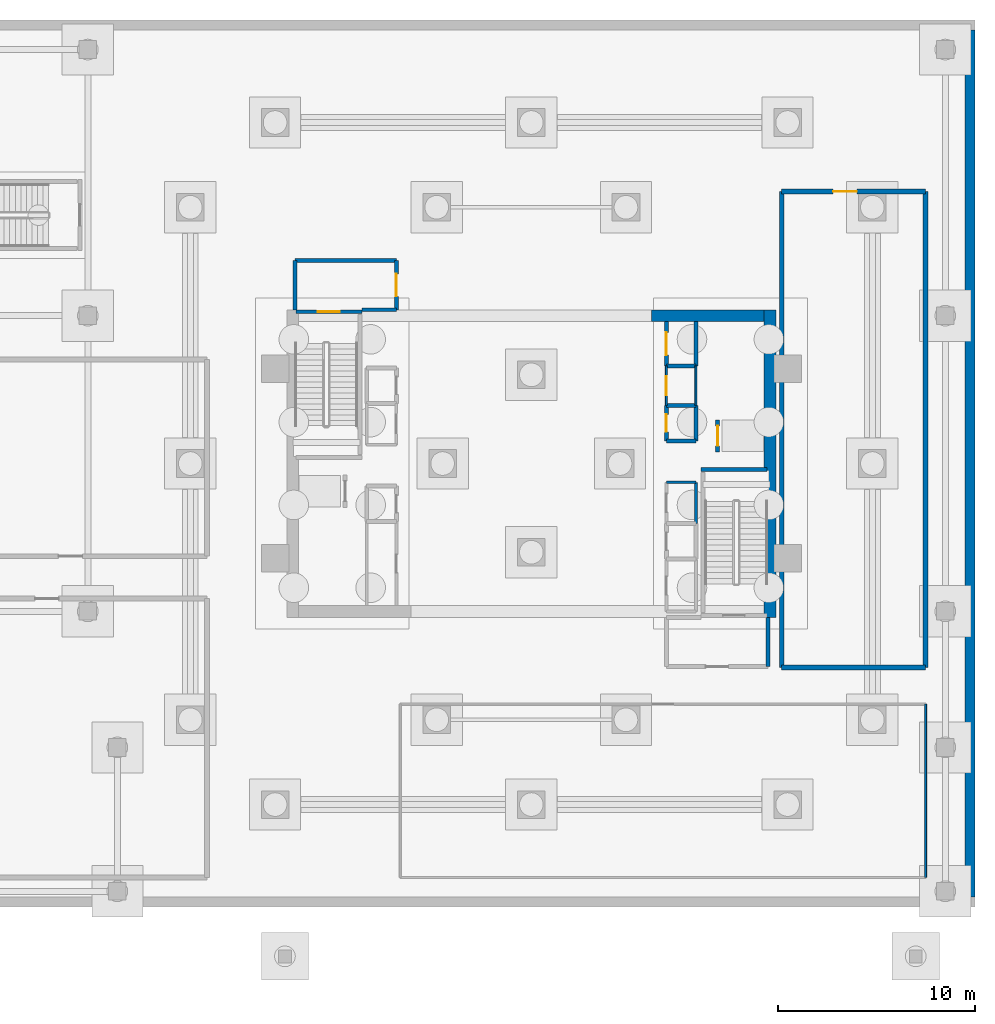
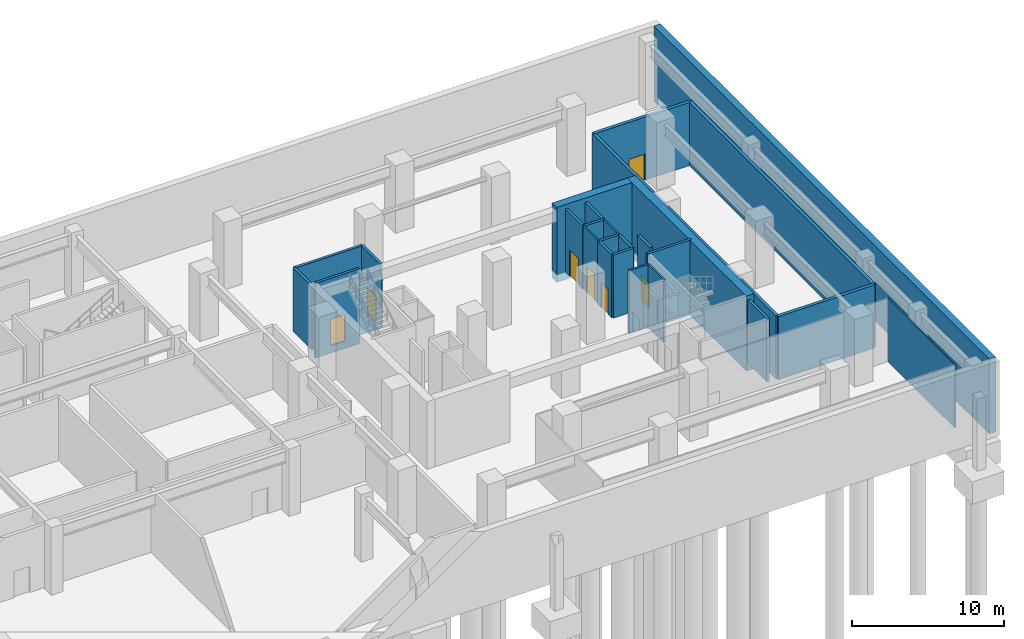
# One storey, part 10 of 14: 27 walls, 7 doors, 7 openings.
"""IFC4 building model written with IfcOpenShell, lengths in metres."""

from ifc_helpers import new_model, si_unit, direction, frame, frame_2d, origin, place, context, subcontext, project, spatial, rectangle, extrude, material, layer, layer_set, type_object, element, fill, save


model = new_model("IFC4")

# Units and contexts
model_context = context("Model", 3, precision=1e-05, world=origin(), true_north=direction((0.0, 1.0)))
body_context = subcontext(model_context, "Body", "Model", "MODEL_VIEW")
ifc_project = project(units=[si_unit("LENGTHUNIT", "METRE"), si_unit("AREAUNIT", "SQUARE_METRE"), si_unit("VOLUMEUNIT", "CUBIC_METRE"), si_unit("PLANEANGLEUNIT", "RADIAN"), si_unit("MASSUNIT", "GRAM", prefix="KILO")], contexts=[model_context])

# Site, building, storey
site_placement = place(None, origin())
site = spatial("IfcSite", under=ifc_project, at=site_placement, CompositionType="ELEMENT")
building_placement = place(site_placement, origin())
building = spatial("IfcBuilding", under=site, at=building_placement, Name="Thornwick Lancets Civic Towers", CompositionType="ELEMENT")
storey_placement = place(building_placement, frame((0.0, 0.0, -5.39990234375)))
storey = spatial("IfcBuildingStorey", under=building, at=storey_placement, Name="B01", CompositionType="ELEMENT", Elevation=-5.39990234375)

# Wall, opening, door
ifc_material_1 = material(Name="Concrete blockwork C40/50", Category="masonry")
ifc_layer_1 = layer(ifc_material_1, 0.199951171875, Name="Concrete blockwork C40/50")
ifc_layer_set_1 = layer_set([ifc_layer_1], Name="Concrete blockwork C40/50")
wall_type_1 = type_object("IfcWallType", Name="WALL_COMP_200", PredefinedType="STANDARD", material=ifc_layer_set_1)
wall_1_placement = place(storey_placement, frame((97.949951171875, 29.219970703125, 0.0), z_axis=(0.0, 0.0, 1.0), x_axis=(0.0, -1.0, 0.0)))
wall_1 = element("IfcWall", 1, at=wall_1_placement, inside=storey, type_object=wall_type_1, Name="B01 Hoistway Front Wall FL-B1", PredefinedType="STANDARD", context=body_context, shape_type="SweptSolid", body=[
    extrude(rectangle(XDim=1.639892578125, YDim=0.199951171875, at=frame_2d((0.81982421875, 0.0))), origin(), (0.0, 0.0, 1.0), 5.059814453125),
])
opening_1_placement = place(wall_1_placement, frame((0.31005859375, 0.0, 0.0)))
opening_1 = element("IfcOpeningElement", 2, at=opening_1_placement, cuts=wall_1, Name="Opening LD-FL-B1", PredefinedType="OPENING", context=body_context, shape_type="SweptSolid", body=[
    extrude(rectangle(XDim=1.02001953125, YDim=2.06005859375, at=frame_2d((0.510009765625, 1.030029296875))), frame((0.0, 0.10986328125, 0.0), z_axis=(0.0, -1.0, 0.0), x_axis=(1.0, 0.0, 0.0)), (0.0, 0.0, 1.0), 0.219970703125),
])
ifc_material_2 = material(Name="Brushed bronze stainless steel", Category="steel")
door_type_1 = type_object("IfcDoorType", Name="DOOR_LIFT_SLIDE", OperationType="SLIDING_TO_LEFT", PredefinedType="DOOR", material=ifc_material_2)
door_1_placement = place(opening_1_placement, origin())
door_1 = element("IfcDoor", 3, at=door_1_placement, inside=storey, type_object=door_type_1, Name="B01 Sliding Lift Landing Door LD-FL-B1", OperationType="SLIDING_TO_LEFT", OverallHeight=2.06005859375, OverallWidth=1.02001953125, PredefinedType="DOOR", context=body_context, shape_type="SweptSolid", body=[
    extrude(rectangle(XDim=1.02001953125, YDim=2.06005859375, at=frame_2d((0.510009765625, 1.030029296875))), frame((0.0, 0.02490234375, 0.0), z_axis=(0.0, -1.0, 0.0), x_axis=(1.0, 0.0, 0.0)), (0.0, 0.0, 1.0), 0.050048828125),
])
fill(opening_1, door_1)

# Walls
wall_2_placement = place(storey_placement, frame((100.5, 16.699951171875, 0.0), z_axis=(0.0, 0.0, 1.0), x_axis=(0.0, 1.0, 0.0)))
element("IfcWall", 4, at=wall_2_placement, inside=storey, type_object=wall_type_1, Name="B01 Partition B01-B-FFLOB1 E2", PredefinedType="STANDARD", context=body_context, shape_type="SweptSolid", body=[
    extrude(rectangle(XDim=2.5, YDim=0.199951171875, at=frame_2d((1.25, 0.0))), origin(), (0.0, 0.0, 1.0), 5.059814453125),
])
wall_3_placement = place(storey_placement, frame((79.89990234375, 34.800048828125, 0.0), z_axis=(0.0, 0.0, 1.0), x_axis=(1.0, 0.0, 0.0)))
element("IfcWall", 5, at=wall_3_placement, inside=storey, type_object=wall_type_1, Name="B01 Partition B01-B-FFLOB2 E1", PredefinedType="STANDARD", context=body_context, shape_type="SweptSolid", body=[
    extrude(rectangle(XDim=1.75, YDim=0.199951171875, at=frame_2d((0.875, 0.0))), origin(), (0.0, 0.0, 1.0), 4.264892578125),
])

# Wall, opening, door
wall_4_placement = place(storey_placement, frame((81.64990234375, 34.800048828125, 0.0), z_axis=(0.0, 0.0, 1.0), x_axis=(0.0, 1.0, 0.0)))
wall_4 = element("IfcWall", 6, at=wall_4_placement, inside=storey, type_object=wall_type_1, Name="B01 Partition B01-B-FFLOB2 E2", PredefinedType="STANDARD", context=body_context, shape_type="SweptSolid", body=[
    extrude(rectangle(XDim=2.5, YDim=0.199951171875, at=frame_2d((1.25, 0.0))), origin(), (0.0, 0.0, 1.0), 5.059814453125),
])
opening_2_placement = place(wall_4_placement, frame((0.675048828125, 0.0, 0.0)))
opening_2 = element("IfcOpeningElement", 7, at=opening_2_placement, cuts=wall_4, Name="Opening D-B01-0020", PredefinedType="OPENING", context=body_context, shape_type="SweptSolid", body=[
    extrude(rectangle(XDim=1.14990234375, YDim=2.10009765625, at=frame_2d((0.574951171875, 1.050048828125))), frame((0.0, 0.10986328125, 0.0), z_axis=(0.0, -1.0, 0.0), x_axis=(1.0, 0.0, 0.0)), (0.0, 0.0, 1.0), 0.219970703125),
])
ifc_material_3 = material(Name="Glazed fire-resisting steel", Category="steel")
door_type_2 = type_object("IfcDoorType", Name="DOOR_LOBBY_FD60", OperationType="NOTDEFINED", PredefinedType="DOOR", material=ifc_material_3)
door_2_placement = place(opening_2_placement, origin())
door_2 = element("IfcDoor", 8, at=door_2_placement, inside=storey, type_object=door_type_2, Name="B01 West Firefighting Lobby 2 Door", OperationType="SINGLE_SWING_LEFT", OverallHeight=2.10009765625, OverallWidth=1.14990234375, PredefinedType="DOOR", context=body_context, shape_type="SweptSolid", body=[
    extrude(rectangle(XDim=1.14990234375, YDim=2.10009765625, at=frame_2d((0.574951171875, 1.050048828125))), frame((0.0, 0.02490234375, 0.0), z_axis=(0.0, -1.0, 0.0), x_axis=(1.0, 0.0, 0.0)), (0.0, 0.0, 1.0), 0.050048828125),
])
fill(opening_2, door_2)

# Walls
wall_5_placement = place(storey_placement, frame((81.64990234375, 37.300048828125, 0.0), z_axis=(0.0, 0.0, 1.0), x_axis=(-1.0, 0.0, 0.0)))
element("IfcWall", 9, at=wall_5_placement, inside=storey, type_object=wall_type_1, Name="B01 Partition B01-B-FFLOB2 E3", PredefinedType="STANDARD", context=body_context, shape_type="SweptSolid", body=[
    extrude(rectangle(XDim=5.14990234375, YDim=0.199951171875, at=frame_2d((2.574951171875, 0.0))), origin(), (0.0, 0.0, 1.0), 5.059814453125),
])
wall_6_placement = place(storey_placement, frame((76.5, 37.300048828125, 0.0), z_axis=(0.0, 0.0, 1.0), x_axis=(0.0, -1.0, 0.0)))
element("IfcWall", 10, at=wall_6_placement, inside=storey, type_object=wall_type_1, Name="B01 Partition B01-B-FFLOB2 E4", PredefinedType="STANDARD", context=body_context, shape_type="SweptSolid", body=[
    extrude(rectangle(XDim=2.5, YDim=0.199951171875, at=frame_2d((1.25, 0.0))), origin(), (0.0, 0.0, 1.0), 5.059814453125),
])
wall_7_placement = place(storey_placement, frame((95.35009765625, 28.14990234375, 0.0), z_axis=(0.0, 0.0, 1.0), x_axis=(1.0, 0.0, 0.0)))
element("IfcWall", 11, at=wall_7_placement, inside=storey, type_object=wall_type_1, Name="B01 Partition B01-B-DUCT1 E1", PredefinedType="STANDARD", context=body_context, shape_type="SweptSolid", body=[
    extrude(rectangle(XDim=1.5, YDim=0.199951171875, at=frame_2d((0.75, 0.0))), origin(), (0.0, 0.0, 1.0), 5.059814453125),
])
wall_8_placement = place(storey_placement, frame((96.85009765625, 28.14990234375, 0.0), z_axis=(0.0, 0.0, 1.0), x_axis=(0.0, 1.0, 0.0)))
element("IfcWall", 12, at=wall_8_placement, inside=storey, type_object=wall_type_1, Name="B01 Partition B01-B-DUCT1 E2", PredefinedType="STANDARD", context=body_context, shape_type="SweptSolid", body=[
    extrude(rectangle(XDim=1.800048828125, YDim=0.199951171875, at=frame_2d((0.89990234375, 0.0))), origin(), (0.0, 0.0, 1.0), 5.059814453125),
])
wall_9_placement = place(storey_placement, frame((96.85009765625, 29.949951171875, 0.0), z_axis=(0.0, 0.0, 1.0), x_axis=(-1.0, 0.0, 0.0)))
element("IfcWall", 13, at=wall_9_placement, inside=storey, type_object=wall_type_1, Name="B01 Partition B01-B-DUCT1 E3", PredefinedType="STANDARD", context=body_context, shape_type="SweptSolid", body=[
    extrude(rectangle(XDim=1.5, YDim=0.199951171875, at=frame_2d((0.75, 0.0))), origin(), (0.0, 0.0, 1.0), 5.059814453125),
])

# Wall, opening, door
wall_10_placement = place(storey_placement, frame((95.35009765625, 29.949951171875, 0.0), z_axis=(0.0, 0.0, 1.0), x_axis=(0.0, -1.0, 0.0)))
wall_10 = element("IfcWall", 14, at=wall_10_placement, inside=storey, type_object=wall_type_1, Name="B01 Partition B01-B-DUCT1 E4", PredefinedType="STANDARD", context=body_context, shape_type="SweptSolid", body=[
    extrude(rectangle(XDim=1.800048828125, YDim=0.199951171875, at=frame_2d((0.89990234375, 0.0))), origin(), (0.0, 0.0, 1.0), 5.059814453125),
])
opening_3_placement = place(wall_10_placement, frame((0.4599609375, 0.0, 0.0)))
opening_3 = element("IfcOpeningElement", 15, at=opening_3_placement, cuts=wall_10, Name="Opening D-B01-0021", PredefinedType="OPENING", context=body_context, shape_type="SweptSolid", body=[
    extrude(rectangle(XDim=0.8798828125, YDim=2.0400390625, at=frame_2d((0.43994140625, 1.02001953125))), frame((0.0, 0.10986328125, 0.0), z_axis=(0.0, -1.0, 0.0), x_axis=(1.0, 0.0, 0.0)), (0.0, 0.0, 1.0), 0.219970703125),
])
ifc_material_4 = material(Name="Steel riser access doorset", Category="steel")
door_type_3 = type_object("IfcDoorType", Name="DOOR_RISER_850", OperationType="NOTDEFINED", PredefinedType="DOOR", material=ifc_material_4)
door_3_placement = place(opening_3_placement, origin())
door_3 = element("IfcDoor", 16, at=door_3_placement, inside=storey, type_object=door_type_3, Name="B01 East Service Duct 1 Door", OperationType="SINGLE_SWING_RIGHT", OverallHeight=2.0400390625, OverallWidth=0.8798828125, PredefinedType="DOOR", context=body_context, shape_type="SweptSolid", body=[
    extrude(rectangle(XDim=0.8798828125, YDim=2.0400390625, at=frame_2d((0.43994140625, 1.02001953125))), frame((0.0, 0.02490234375, 0.0), z_axis=(0.0, -1.0, 0.0), x_axis=(1.0, 0.0, 0.0)), (0.0, 0.0, 1.0), 0.050048828125),
])
fill(opening_3, door_3)

wall_11_placement = place(storey_placement, frame((95.35009765625, 31.949951171875, 0.0), z_axis=(0.0, 0.0, 1.0), x_axis=(0.0, 1.0, 0.0)))
wall_11 = element("IfcWall", 17, at=wall_11_placement, inside=storey, type_object=wall_type_1, Name="B01 Partition B01-B-ITR2 E1", PredefinedType="STANDARD", context=body_context, shape_type="SweptSolid", body=[
    extrude(rectangle(XDim=2.25, YDim=0.199951171875, at=frame_2d((1.125, 0.0))), origin(), (0.0, 0.0, 1.0), 5.059814453125),
])
opening_4_placement = place(wall_11_placement, frame((0.550048828125, 0.0, 0.0)))
opening_4 = element("IfcOpeningElement", 18, at=opening_4_placement, cuts=wall_11, Name="Opening D-B01-0028", PredefinedType="OPENING", context=body_context, shape_type="SweptSolid", body=[
    extrude(rectangle(XDim=1.14990234375, YDim=2.10009765625, at=frame_2d((0.574951171875, 1.050048828125))), frame((0.0, 0.10986328125, 0.0), z_axis=(0.0, -1.0, 0.0), x_axis=(1.0, 0.0, 0.0)), (0.0, 0.0, 1.0), 0.219970703125),
])
door_4_placement = place(opening_4_placement, origin())
door_4 = element("IfcDoor", 19, at=door_4_placement, inside=storey, type_object=door_type_2, Name="B01 Tower B Statutory Core Archive Door", OperationType="SINGLE_SWING_LEFT", OverallHeight=2.10009765625, OverallWidth=1.14990234375, PredefinedType="DOOR", context=body_context, shape_type="SweptSolid", body=[
    extrude(rectangle(XDim=1.14990234375, YDim=2.10009765625, at=frame_2d((0.574951171875, 1.050048828125))), frame((0.0, 0.02490234375, 0.0), z_axis=(0.0, -1.0, 0.0), x_axis=(1.0, 0.0, 0.0)), (0.0, 0.0, 1.0), 0.050048828125),
])
fill(opening_4, door_4)

# Walls
wall_12_placement = place(storey_placement, frame((96.85009765625, 34.199951171875, 0.0), z_axis=(0.0, 0.0, 1.0), x_axis=(0.0, -1.0, 0.0)))
element("IfcWall", 20, at=wall_12_placement, inside=storey, type_object=wall_type_1, Name="B01 Partition B01-B-ITR2 E3", PredefinedType="STANDARD", context=body_context, shape_type="SweptSolid", body=[
    extrude(rectangle(XDim=2.25, YDim=0.199951171875, at=frame_2d((1.125, 0.0))), origin(), (0.0, 0.0, 1.0), 5.059814453125),
])
wall_13_placement = place(storey_placement, frame((96.85009765625, 31.949951171875, 0.0), z_axis=(0.0, 0.0, 1.0), x_axis=(-1.0, 0.0, 0.0)))
element("IfcWall", 21, at=wall_13_placement, inside=storey, type_object=wall_type_1, Name="B01 Partition B01-B-ITR2 E4", PredefinedType="STANDARD", context=body_context, shape_type="SweptSolid", body=[
    extrude(rectangle(XDim=1.5, YDim=0.199951171875, at=frame_2d((0.75, 0.0))), origin(), (0.0, 0.0, 1.0), 5.059814453125),
])
ifc_layer_2 = layer(ifc_material_1, 0.239990234375, Name="Concrete blockwork C40/50")
ifc_layer_set_2 = layer_set([ifc_layer_2], Name="Concrete blockwork C40/50")
wall_type_2 = type_object("IfcWallType", Name="WALL_COMP_240", PredefinedType="STANDARD", material=ifc_layer_set_2)
wall_14_placement = place(storey_placement, frame((101.199951171875, 16.64990234375, 0.0), z_axis=(0.0, 0.0, 1.0), x_axis=(0.0, 1.0, 0.0)))
element("IfcWall", 22, at=wall_14_placement, inside=storey, type_object=wall_type_2, Name="B01 Partition B01-MNT E1", PredefinedType="STANDARD", context=body_context, shape_type="SweptSolid", body=[
    extrude(rectangle(XDim=24.150146484375, YDim=0.239990234375, at=frame_2d((12.0751953125, 0.0))), origin(), (0.0, 0.0, 1.0), 5.059814453125),
])

# Wall, opening, door
wall_15_placement = place(storey_placement, frame((101.199951171875, 40.800048828125, 0.0), z_axis=(0.0, 0.0, 1.0), x_axis=(1.0, 0.0, 0.0)))
wall_15 = element("IfcWall", 23, at=wall_15_placement, inside=storey, type_object=wall_type_2, Name="B01 Partition B01-MNT E2", PredefinedType="STANDARD", context=body_context, shape_type="SweptSolid", body=[
    extrude(rectangle(XDim=7.300048828125, YDim=0.239990234375, at=frame_2d((3.64990234375, 0.0))), origin(), (0.0, 0.0, 1.0), 5.059814453125),
])
opening_5_placement = place(wall_15_placement, frame((2.610107421875, 0.0, 0.0)))
opening_5 = element("IfcOpeningElement", 24, at=opening_5_placement, cuts=wall_15, Name="Opening D-B01-0038", PredefinedType="OPENING", context=body_context, shape_type="SweptSolid", body=[
    extrude(rectangle(XDim=1.199951171875, YDim=2.10009765625, at=frame_2d((0.60009765625, 1.050048828125))), frame((0.0, 0.1298828125, 0.0), z_axis=(0.0, -1.0, 0.0), x_axis=(1.0, 0.0, 0.0)), (0.0, 0.0, 1.0), 0.260009765625),
])
ifc_material_5 = material(Name="Steel plant room doorset", Category="steel")
door_type_4 = type_object("IfcDoorType", Name="DOOR_PLANT_1200", OperationType="NOTDEFINED", PredefinedType="DOOR", material=ifc_material_5)
door_5_placement = place(opening_5_placement, origin())
door_5 = element("IfcDoor", 25, at=door_5_placement, inside=storey, type_object=door_type_4, Name="Facilities Maintenance Workshop Door", OperationType="SINGLE_SWING_LEFT", OverallHeight=2.10009765625, OverallWidth=1.199951171875, PredefinedType="DOOR", context=body_context, shape_type="SweptSolid", body=[
    extrude(rectangle(XDim=1.199951171875, YDim=2.10009765625, at=frame_2d((0.60009765625, 1.050048828125))), frame((0.0, 0.02490234375, 0.0), z_axis=(0.0, -1.0, 0.0), x_axis=(1.0, 0.0, 0.0)), (0.0, 0.0, 1.0), 0.050048828125),
])
fill(opening_5, door_5)

# Walls
wall_16_placement = place(storey_placement, frame((108.5, 40.800048828125, 0.0), z_axis=(0.0, 0.0, 1.0), x_axis=(0.0, -1.0, 0.0)))
element("IfcWall", 26, at=wall_16_placement, inside=storey, type_object=wall_type_2, Name="B01 Partition B01-MNT E3", PredefinedType="STANDARD", context=body_context, shape_type="SweptSolid", body=[
    extrude(rectangle(XDim=24.150146484375, YDim=0.239990234375, at=frame_2d((12.0751953125, 0.0))), origin(), (0.0, 0.0, 1.0), 5.059814453125),
])
wall_17_placement = place(storey_placement, frame((108.5, 16.64990234375, 0.0), z_axis=(0.0, 0.0, 1.0), x_axis=(-1.0, 0.0, 0.0)))
element("IfcWall", 27, at=wall_17_placement, inside=storey, type_object=wall_type_2, Name="B01 Partition B01-MNT E4", PredefinedType="STANDARD", context=body_context, shape_type="SweptSolid", body=[
    extrude(rectangle(XDim=7.300048828125, YDim=0.239990234375, at=frame_2d((3.64990234375, 0.0))), origin(), (0.0, 0.0, 1.0), 5.059814453125),
])
ifc_material_6 = material(Name="Concrete C60/75", Category="concrete")
ifc_layer_3 = layer(ifc_material_6, 0.60009765625, Name="Concrete C60/75")
ifc_layer_set_3 = layer_set([ifc_layer_3], Name="Concrete C60/75")
wall_type_3 = type_object("IfcWallType", Name="WALL_CORE_600", PredefinedType="SHEAR", material=ifc_layer_set_3)
wall_18_placement = place(storey_placement, frame((100.60009765625, 19.199951171875, -0.60009765625), z_axis=(0.0, 0.0, 1.0), x_axis=(0.0, 1.0, 0.0)))
element("IfcWall", 28, at=wall_18_placement, inside=storey, type_object=wall_type_3, Name="B01 Split Core B1 Shear Wall E", PredefinedType="SHEAR", context=body_context, shape_type="SweptSolid", body=[
    extrude(rectangle(XDim=15.60009765625, YDim=0.60009765625, at=frame_2d((7.800048828125, 0.0))), origin(), (0.0, 0.0, 1.0), 6.0),
])
wall_19_placement = place(storey_placement, frame((94.60009765625, 34.5, -0.60009765625), z_axis=(0.0, 0.0, 1.0), x_axis=(1.0, 0.0, 0.0)))
element("IfcWall", 29, at=wall_19_placement, inside=storey, type_object=wall_type_3, Name="B01 Split Core B1 Shear Wall N", PredefinedType="SHEAR", context=body_context, shape_type="SweptSolid", body=[
    extrude(rectangle(XDim=5.699951171875, YDim=0.60009765625, at=frame_2d((2.85009765625, 0.0))), origin(), (0.0, 0.0, 1.0), 6.0),
])

# Wall, opening, door
ifc_material_7 = material(Name="Lightweight cellular office partition")
ifc_layer_4 = layer(ifc_material_7, 0.10009765625, Name="Lightweight cellular office partition")
ifc_layer_set_4 = layer_set([ifc_layer_4], Name="Lightweight cellular office partition")
wall_type_4 = type_object("IfcWallType", Name="WALL_PART_100", PredefinedType="PARTITIONING", material=ifc_layer_set_4)
wall_20_placement = place(storey_placement, frame((95.35009765625, 29.949951171875, 0.0), z_axis=(0.0, 0.0, 1.0), x_axis=(0.0, 1.0, 0.0)))
wall_20 = element("IfcWall", 30, at=wall_20_placement, inside=storey, type_object=wall_type_4, Name="B01 Partition B01-B-CLN E1", PredefinedType="PARTITIONING", context=body_context, shape_type="SweptSolid", body=[
    extrude(rectangle(XDim=2.0, YDim=0.10009765625, at=frame_2d((1.0, 0.0))), origin(), (0.0, 0.0, 1.0), 5.059814453125),
])
opening_6_placement = place(wall_20_placement, frame((0.52490234375, 0.0, 0.0)))
opening_6 = element("IfcOpeningElement", 31, at=opening_6_placement, cuts=wall_20, Name="Opening D-B01-0027", PredefinedType="OPENING", context=body_context, shape_type="SweptSolid", body=[
    extrude(rectangle(XDim=0.949951171875, YDim=2.10009765625, at=frame_2d((0.47509765625, 1.050048828125))), frame((0.0, 0.06005859375, 0.0), z_axis=(0.0, -1.0, 0.0), x_axis=(1.0, 0.0, 0.0)), (0.0, 0.0, 1.0), 0.1201171875),
])
ifc_material_8 = material(Name="European oak acoustic doorset")
door_type_5 = type_object("IfcDoorType", Name="DOOR_OFFICE_950", OperationType="NOTDEFINED", PredefinedType="DOOR", material=ifc_material_8)
door_6_placement = place(opening_6_placement, origin())
door_6 = element("IfcDoor", 32, at=door_6_placement, inside=storey, type_object=door_type_5, Name="B01 Tower B Cleaners Store Door", OperationType="SINGLE_SWING_RIGHT", OverallHeight=2.10009765625, OverallWidth=0.949951171875, PredefinedType="DOOR", context=body_context, shape_type="SweptSolid", body=[
    extrude(rectangle(XDim=0.949951171875, YDim=2.10009765625, at=frame_2d((0.47509765625, 1.050048828125))), frame((0.0, 0.02490234375, 0.0), z_axis=(0.0, -1.0, 0.0), x_axis=(1.0, 0.0, 0.0)), (0.0, 0.0, 1.0), 0.050048828125),
])
fill(opening_6, door_6)

# Walls
wall_21_placement = place(storey_placement, frame((96.85009765625, 31.949951171875, 0.0), z_axis=(0.0, 0.0, 1.0), x_axis=(0.0, -1.0, 0.0)))
element("IfcWall", 33, at=wall_21_placement, inside=storey, type_object=wall_type_4, Name="B01 Partition B01-B-CLN E3", PredefinedType="PARTITIONING", context=body_context, shape_type="SweptSolid", body=[
    extrude(rectangle(XDim=2.0, YDim=0.10009765625, at=frame_2d((1.0, 0.0))), origin(), (0.0, 0.0, 1.0), 5.059814453125),
])
wall_22_placement = place(storey_placement, frame((108.5, 14.800048828125, 0.0), z_axis=(0.0, 0.0, 1.0), x_axis=(0.0, -1.0, 0.0)))
element("IfcWall", 34, at=wall_22_placement, inside=storey, type_object=wall_type_4, Name="B01 Partition B01-STORE E4", PredefinedType="PARTITIONING", context=body_context, shape_type="SweptSolid", body=[
    extrude(rectangle(XDim=8.800048828125, YDim=0.10009765625, at=frame_2d((4.39990234375, 0.0))), origin(), (0.0, 0.0, 1.0), 5.059814453125),
])
ifc_material_9 = material(Name="Twin-stud acoustic gypsum board")
ifc_layer_5 = layer(ifc_material_9, 0.14990234375, Name="Twin-stud acoustic gypsum board")
ifc_layer_set_5 = layer_set([ifc_layer_5], Name="Twin-stud acoustic gypsum board")
wall_type_5 = type_object("IfcWallType", Name="WALL_PART_150", PredefinedType="PARTITIONING", material=ifc_layer_set_5)
wall_23_placement = place(storey_placement, frame((95.35009765625, 26.050048828125, 0.0), z_axis=(0.0, 0.0, 1.0), x_axis=(1.0, 0.0, 0.0)))
element("IfcWall", 35, at=wall_23_placement, inside=storey, type_object=wall_type_5, Name="B01 Partition B01-B-AWC E2", PredefinedType="PARTITIONING", context=body_context, shape_type="SweptSolid", body=[
    extrude(rectangle(XDim=1.5, YDim=0.14990234375, at=frame_2d((0.75, 0.0))), origin(), (0.0, 0.0, 1.0), 5.059814453125),
])
wall_24_placement = place(storey_placement, frame((96.85009765625, 26.050048828125, 0.0), z_axis=(0.0, 0.0, 1.0), x_axis=(0.0, -1.0, 0.0)))
element("IfcWall", 36, at=wall_24_placement, inside=storey, type_object=wall_type_5, Name="B01 Partition B01-B-AWC E3", PredefinedType="PARTITIONING", context=body_context, shape_type="SweptSolid", body=[
    extrude(rectangle(XDim=2.10009765625, YDim=0.14990234375, at=frame_2d((1.050048828125, 0.0))), origin(), (0.0, 0.0, 1.0), 5.059814453125),
])
ifc_material_10 = material(Name="Concrete C40/50", Category="concrete")
ifc_layer_6 = layer(ifc_material_10, 0.5, Name="Concrete C40/50")
ifc_layer_set_6 = layer_set([ifc_layer_6], Name="Concrete C40/50")
wall_type_6 = type_object("IfcWallType", Name="WALL_RETAIN_500", PredefinedType="USERDEFINED", material=ifc_layer_set_6)
wall_25_placement = place(storey_placement, frame((110.75, 5.0, -0.60009765625), z_axis=(0.0, 0.0, 1.0), x_axis=(0.0, 1.0, 0.0)))
element("IfcWall", 37, at=wall_25_placement, inside=storey, type_object=wall_type_6, Name="B01 Perimeter Retaining Wall E", ObjectType="RETAININGWALL", PredefinedType="USERDEFINED", context=body_context, shape_type="SweptSolid", body=[
    extrude(rectangle(XDim=44.0, YDim=0.5, at=frame_2d((22.0, 0.0))), origin(), (0.0, 0.0, 1.0), 6.0),
])
ifc_layer_7 = layer(ifc_material_10, 0.199951171875, Name="Concrete C40/50")
ifc_layer_set_7 = layer_set([ifc_layer_7], Name="Concrete C40/50")
wall_type_7 = type_object("IfcWallType", Name="WALL_SHAFT_200", PredefinedType="SHEAR", material=ifc_layer_set_7)
wall_26_placement = place(storey_placement, frame((97.10009765625, 26.699951171875, -0.60009765625), z_axis=(0.0, 0.0, 1.0), x_axis=(1.0, 0.0, 0.0)))
element("IfcWall", 38, at=wall_26_placement, inside=storey, type_object=wall_type_7, Name="B01 ST-B1 Fire Stair Core Wall FAR", PredefinedType="SHEAR", context=body_context, shape_type="SweptSolid", body=[
    extrude(rectangle(XDim=3.349853515625, YDim=0.199951171875, at=frame_2d((1.6748046875, 0.0))), origin(), (0.0, 0.0, 1.0), 6.0),
])

# Wall, opening, door
wall_27_placement = place(storey_placement, frame((76.550048828125, 34.699951171875, -0.60009765625), z_axis=(0.0, 0.0, 1.0), x_axis=(1.0, 0.0, 0.0)))
wall_27 = element("IfcWall", 39, at=wall_27_placement, inside=storey, type_object=wall_type_7, Name="B01 ST-B2 Fire Stair Core Wall NEAR", PredefinedType="SHEAR", context=body_context, shape_type="SweptSolid", body=[
    extrude(rectangle(XDim=3.349853515625, YDim=0.199951171875, at=frame_2d((1.6748046875, 0.0))), origin(), (0.0, 0.0, 1.0), 6.0),
])
opening_7_placement = place(wall_27_placement, frame((1.125, 0.0, 0.60009765625)))
opening_7 = element("IfcOpeningElement", 40, at=opening_7_placement, cuts=wall_27, Name="Opening D-ST-B2-B01", PredefinedType="OPENING", context=body_context, shape_type="SweptSolid", body=[
    extrude(rectangle(XDim=1.10009765625, YDim=2.10009765625, at=frame_2d((0.550048828125, 1.050048828125))), frame((0.0, 0.10986328125, 0.0), z_axis=(0.0, -1.0, 0.0), x_axis=(1.0, 0.0, 0.0)), (0.0, 0.0, 1.0), 0.219970703125),
])
ifc_material_11 = material(Name="Fire-resisting steel and hardwood", Category="steel")
door_type_6 = type_object("IfcDoorType", Name="DOOR_STAIR_FD60", OperationType="NOTDEFINED", PredefinedType="DOOR", material=ifc_material_11)
door_7_placement = place(opening_7_placement, origin())
door_7 = element("IfcDoor", 41, at=door_7_placement, inside=storey, type_object=door_type_6, Name="B01 ST-B2 Exit Stair Door", OperationType="SINGLE_SWING_LEFT", OverallHeight=2.10009765625, OverallWidth=1.10009765625, PredefinedType="DOOR", context=body_context, shape_type="SweptSolid", body=[
    extrude(rectangle(XDim=1.10009765625, YDim=2.10009765625, at=frame_2d((0.550048828125, 1.050048828125))), frame((0.0, 0.02490234375, 0.0), z_axis=(0.0, -1.0, 0.0), x_axis=(1.0, 0.0, 0.0)), (0.0, 0.0, 1.0), 0.050048828125),
])
fill(opening_7, door_7)

save(model, "model.ifc")
